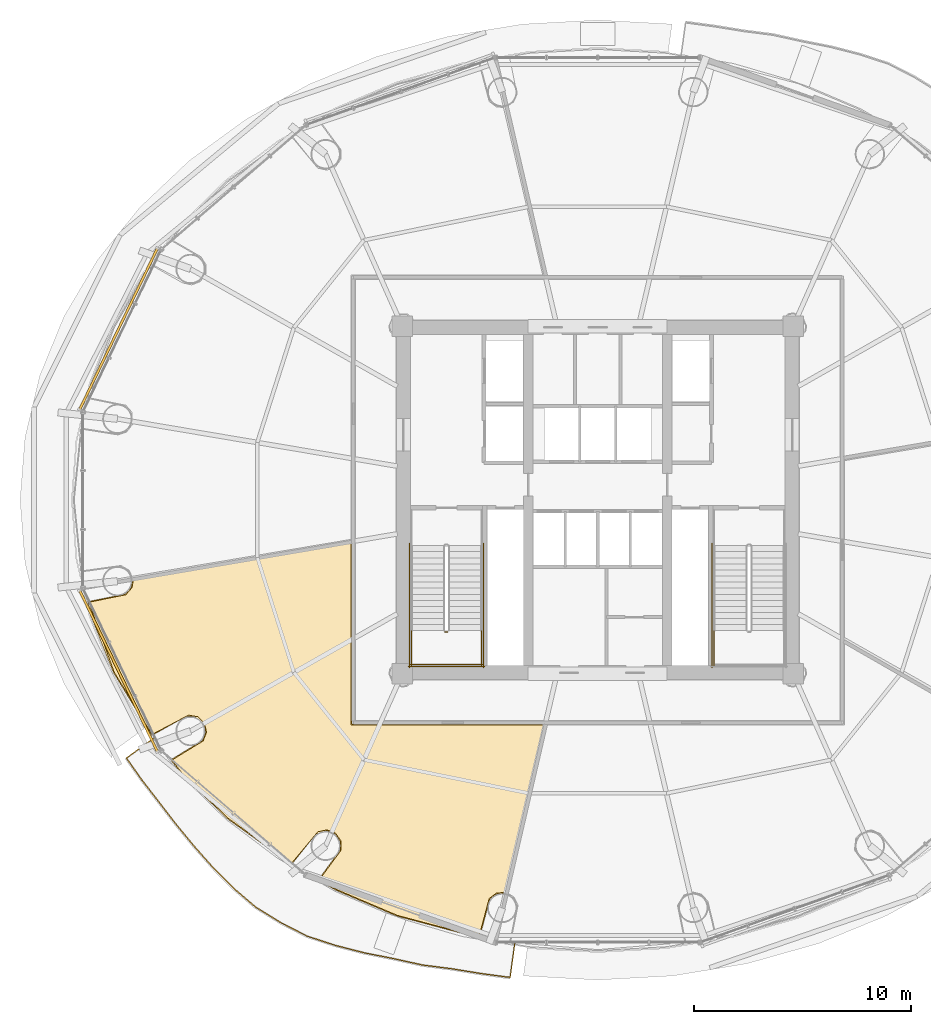
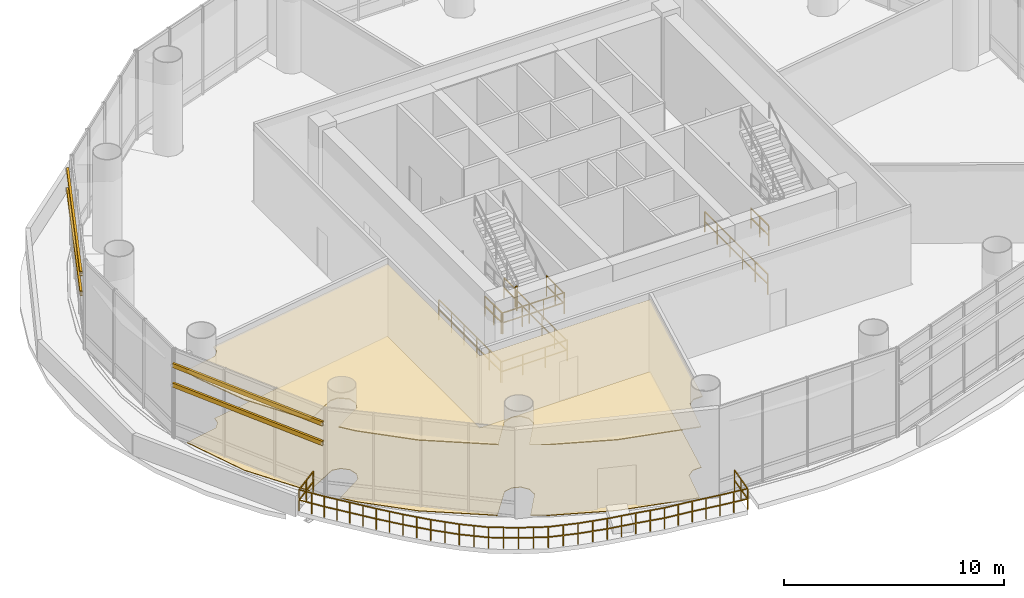
# One storey, part 25 of 29: 10 railings, 4 shading devices, 2 coverings.
"""IFC4 building model written with IfcOpenShell, lengths in metres."""

from ifc_helpers import new_model, si_unit, direction, frame, origin, origin_2d, place, context, subcontext, project, spatial, polyline, rectangle, hollow_rectangle, outline, extrude, source, transform, mapped, material, layer, layer_set, material_profile, profile_set, type_object, element, save


model = new_model("IFC4")

# Units and contexts
model_context = context("Model", 3, precision=1e-05, world=origin(), true_north=direction((-0.2419218956, 0.970295726276)))
body_context = subcontext(model_context, "Body", "Model", "MODEL_VIEW")
ifc_project = project(units=[si_unit("LENGTHUNIT", "METRE"), si_unit("AREAUNIT", "SQUARE_METRE"), si_unit("VOLUMEUNIT", "CUBIC_METRE"), si_unit("PLANEANGLEUNIT", "RADIAN"), si_unit("MASSUNIT", "GRAM", prefix="KILO")], contexts=[model_context])

# Site, building, storey
site_placement = place(None, origin())
site = spatial("IfcSite", under=ifc_project, at=site_placement, CompositionType="ELEMENT")
building_placement = place(site_placement, origin())
building = spatial("IfcBuilding", under=site, at=building_placement, Name="Cobrevalo Terracotta Tower", CompositionType="ELEMENT")
storey_placement = place(building_placement, frame((0.0, 0.0, 130.199951171875)))
storey = spatial("IfcBuildingStorey", under=building, at=storey_placement, Name="L34", CompositionType="ELEMENT", Elevation=130.199951171875)

# Railing
ifc_material_1 = material(Name="Laminated structural glass and stainless steel", Category="steel")
railing_type_1 = type_object("IfcRailingType", Name="Balcony lobe structural glass & terracotta-cap balustrade 1180 mm", PredefinedType="BALUSTRADE", material=ifc_material_1)
railing_1_placement = place(storey_placement, frame((17.58349609375, 15.848388671875, 0.0)))
element("IfcRailing", 1, at=railing_1_placement, inside=storey, type_object=railing_type_1, Name="L34 spiralling balcony lobe balustrade 2", PredefinedType="BALUSTRADE", context=body_context, shape_type="SweptSolid", body=[
    extrude(rectangle(XDim=0.048095703125, YDim=0.048095703125, at=origin_2d()), frame((0.0, 0.0, 1.15576171875), z_axis=(-0.809367380782, -0.587302684249, 0.0), x_axis=(0.587302684249, -0.809367380782, 0.0)), (0.0, 0.0, 1.0), 1.587646484375),
    extrude(rectangle(XDim=0.048095703125, YDim=0.048095703125, at=origin_2d()), frame((0.0, 0.0, 0.58984375), z_axis=(-0.809367380782, -0.587302684249, 0.0), x_axis=(0.587302684249, -0.809367380782, 0.0)), (0.0, 0.0, 1.0), 1.587646484375),
    extrude(rectangle(XDim=0.048095703125, YDim=0.048095703125, at=origin_2d()), frame((-1.284912109375, -0.932373046875, 1.15576171875), z_axis=(0.578233321445, -0.815871451867, 0.0), x_axis=(0.815871451867, 0.578233321445, 0.0)), (0.0, 0.0, 1.0), 1.25439453125),
    extrude(rectangle(XDim=0.048095703125, YDim=0.048095703125, at=origin_2d()), frame((-1.284912109375, -0.932373046875, 0.58984375), z_axis=(0.578233321445, -0.815871451867, 0.0), x_axis=(0.815871451867, 0.578233321445, 0.0)), (0.0, 0.0, 1.0), 1.25439453125),
    extrude(rectangle(XDim=0.048095703125, YDim=0.048095703125, at=origin_2d()), frame((-0.5595703125, -1.955810546875, 1.15576171875), z_axis=(0.611265346823, -0.791425723472, 0.0), x_axis=(0.791425723472, 0.611265346823, 0.0)), (0.0, 0.0, 1.0), 1.259033203125),
    extrude(rectangle(XDim=0.048095703125, YDim=0.048095703125, at=origin_2d()), frame((-0.5595703125, -1.955810546875, 0.58984375), z_axis=(0.611265346823, -0.791425723472, 0.0), x_axis=(0.791425723472, 0.611265346823, 0.0)), (0.0, 0.0, 1.0), 1.259033203125),
    extrude(rectangle(XDim=0.048095703125, YDim=0.048095703125, at=origin_2d()), frame((0.2099609375, -2.9521484375, 1.15576171875), z_axis=(0.610131640757, -0.792300057395, 0.0), x_axis=(0.792300057395, 0.610131640757, 0.0)), (0.0, 0.0, 1.0), 1.289306640625),
    extrude(rectangle(XDim=0.048095703125, YDim=0.048095703125, at=origin_2d()), frame((0.2099609375, -2.9521484375, 0.58984375), z_axis=(0.610131640757, -0.792300057395, 0.0), x_axis=(0.792300057395, 0.610131640757, 0.0)), (0.0, 0.0, 1.0), 1.289306640625),
    extrude(rectangle(XDim=0.048095703125, YDim=0.048095703125, at=origin_2d()), frame((0.99658203125, -3.9736328125, 1.15576171875), z_axis=(0.634923621366, -0.772574912245, 0.0), x_axis=(0.772574912245, 0.634923621366, 0.0)), (0.0, 0.0, 1.0), 1.300048828125),
    extrude(rectangle(XDim=0.048095703125, YDim=0.048095703125, at=origin_2d()), frame((0.99658203125, -3.9736328125, 0.58984375), z_axis=(0.634923621366, -0.772574912245, 0.0), x_axis=(0.772574912245, 0.634923621366, 0.0)), (0.0, 0.0, 1.0), 1.300048828125),
    extrude(rectangle(XDim=0.048095703125, YDim=0.048095703125, at=origin_2d()), frame((1.822021484375, -4.97802734375, 1.15576171875), z_axis=(0.663895313827, -0.747825522617, 0.0), x_axis=(0.747825522617, 0.663895313827, 0.0)), (0.0, 0.0, 1.0), 1.326416015625),
    extrude(rectangle(XDim=0.048095703125, YDim=0.048095703125, at=origin_2d()), frame((1.822021484375, -4.97802734375, 0.58984375), z_axis=(0.663895313827, -0.747825522617, 0.0), x_axis=(0.747825522617, 0.663895313827, 0.0)), (0.0, 0.0, 1.0), 1.326416015625),
    extrude(rectangle(XDim=0.048095703125, YDim=0.048095703125, at=origin_2d()), frame((2.70263671875, -5.969970703125, 1.15576171875), z_axis=(0.703553776685, -0.710642021916, 0.0), x_axis=(0.710642021916, 0.703553776685, 0.0)), (0.0, 0.0, 1.0), 1.34326171875),
    extrude(rectangle(XDim=0.048095703125, YDim=0.048095703125, at=origin_2d()), frame((2.70263671875, -5.969970703125, 0.58984375), z_axis=(0.703553776685, -0.710642021916, 0.0), x_axis=(0.710642021916, 0.703553776685, 0.0)), (0.0, 0.0, 1.0), 1.34326171875),
    extrude(rectangle(XDim=0.048095703125, YDim=0.048095703125, at=origin_2d()), frame((3.647705078125, -6.924560546875, 1.15576171875), z_axis=(0.761514665944, -0.648147678814, 0.0), x_axis=(0.648147678814, 0.761514665944, 0.0)), (0.0, 0.0, 1.0), 1.34814453125),
    extrude(rectangle(XDim=0.048095703125, YDim=0.048095703125, at=origin_2d()), frame((3.647705078125, -6.924560546875, 0.58984375), z_axis=(0.761514665944, -0.648147678814, 0.0), x_axis=(0.648147678814, 0.761514665944, 0.0)), (0.0, 0.0, 1.0), 1.34814453125),
    extrude(rectangle(XDim=0.048095703125, YDim=0.048095703125, at=origin_2d()), frame((4.67431640625, -7.79833984375, 1.15576171875), z_axis=(0.851658316705, -0.524097425664, 0.0), x_axis=(0.524097425664, 0.851658316705, 0.0)), (0.0, 0.0, 1.0), 1.360107421875),
    extrude(rectangle(XDim=0.048095703125, YDim=0.048095703125, at=origin_2d()), frame((4.67431640625, -7.79833984375, 0.58984375), z_axis=(0.851658316705, -0.524097425664, 0.0), x_axis=(0.524097425664, 0.851658316705, 0.0)), (0.0, 0.0, 1.0), 1.360107421875),
    extrude(rectangle(XDim=0.048095703125, YDim=0.048095703125, at=origin_2d()), frame((5.832763671875, -8.51123046875, 1.15576171875), z_axis=(0.889813718969, -0.456323948018, 0.0), x_axis=(0.456323948018, 0.889813718969, 0.0)), (0.0, 0.0, 1.0), 1.35791015625),
    extrude(rectangle(XDim=0.048095703125, YDim=0.048095703125, at=origin_2d()), frame((5.832763671875, -8.51123046875, 0.58984375), z_axis=(0.889813718969, -0.456323948018, 0.0), x_axis=(0.456323948018, 0.889813718969, 0.0)), (0.0, 0.0, 1.0), 1.35791015625),
    extrude(rectangle(XDim=0.048095703125, YDim=0.048095703125, at=origin_2d()), frame((7.041015625, -9.130859375, 1.15576171875), z_axis=(0.950632133368, -0.310320071873, 0.0), x_axis=(0.310320071873, 0.950632133368, 0.0)), (0.0, 0.0, 1.0), 1.377685546875),
    extrude(rectangle(XDim=0.048095703125, YDim=0.048095703125, at=origin_2d()), frame((7.041015625, -9.130859375, 0.58984375), z_axis=(0.950632133368, -0.310320071873, 0.0), x_axis=(0.310320071873, 0.950632133368, 0.0)), (0.0, 0.0, 1.0), 1.377685546875),
    extrude(rectangle(XDim=0.048095703125, YDim=0.048095703125, at=origin_2d()), frame((8.3505859375, -9.558349609375, 1.15576171875), z_axis=(0.968673720881, -0.248336913233, 0.0), x_axis=(0.248336913233, 0.968673720881, 0.0)), (0.0, 0.0, 1.0), 1.375244140625),
    extrude(rectangle(XDim=0.048095703125, YDim=0.048095703125, at=origin_2d()), frame((8.3505859375, -9.558349609375, 0.58984375), z_axis=(0.968673720881, -0.248336913233, 0.0), x_axis=(0.248336913233, 0.968673720881, 0.0)), (0.0, 0.0, 1.0), 1.375244140625),
    extrude(rectangle(XDim=0.048095703125, YDim=0.048095703125, at=origin_2d()), frame((9.682861328125, -9.89990234375, 1.15576171875), z_axis=(0.98097632146, -0.194127423963, 0.0), x_axis=(0.194127423963, 0.98097632146, 0.0)), (0.0, 0.0, 1.0), 1.36962890625),
    extrude(rectangle(XDim=0.048095703125, YDim=0.048095703125, at=origin_2d()), frame((9.682861328125, -9.89990234375, 0.58984375), z_axis=(0.98097632146, -0.194127423963, 0.0), x_axis=(0.194127423963, 0.98097632146, 0.0)), (0.0, 0.0, 1.0), 1.36962890625),
    extrude(rectangle(XDim=0.048095703125, YDim=0.048095703125, at=origin_2d()), frame((11.0263671875, -10.165771484375, 1.15576171875), z_axis=(0.976498251898, -0.215525321113, 0.0), x_axis=(0.215525321113, 0.976498251898, 0.0)), (0.0, 0.0, 1.0), 1.361572265625),
    extrude(rectangle(XDim=0.048095703125, YDim=0.048095703125, at=origin_2d()), frame((11.0263671875, -10.165771484375, 0.58984375), z_axis=(0.976498251898, -0.215525321113, 0.0), x_axis=(0.215525321113, 0.976498251898, 0.0)), (0.0, 0.0, 1.0), 1.361572265625),
    extrude(rectangle(XDim=0.048095703125, YDim=0.048095703125, at=origin_2d()), frame((12.35595703125, -10.459228515625, 1.15576171875), z_axis=(0.99183804653, -0.127504076233, 0.0), x_axis=(0.127504076233, 0.99183804653, 0.0)), (0.0, 0.0, 1.0), 1.359375),
    extrude(rectangle(XDim=0.048095703125, YDim=0.048095703125, at=origin_2d()), frame((12.35595703125, -10.459228515625, 0.58984375), z_axis=(0.99183804653, -0.127504076233, 0.0), x_axis=(0.127504076233, 0.99183804653, 0.0)), (0.0, 0.0, 1.0), 1.359375),
    extrude(rectangle(XDim=0.048095703125, YDim=0.048095703125, at=origin_2d()), frame((13.704345703125, -10.632568359375, 1.15576171875), z_axis=(0.987063083074, -0.160332373626, 0.0), x_axis=(0.160332373626, 0.987063083074, 0.0)), (0.0, 0.0, 1.0), 1.353759765625),
    extrude(rectangle(XDim=0.048095703125, YDim=0.048095703125, at=origin_2d()), frame((13.704345703125, -10.632568359375, 0.58984375), z_axis=(0.987063083074, -0.160332373626, 0.0), x_axis=(0.160332373626, 0.987063083074, 0.0)), (0.0, 0.0, 1.0), 1.353759765625),
    extrude(rectangle(XDim=0.048095703125, YDim=0.048095703125, at=origin_2d()), frame((15.04052734375, -10.849609375, 1.15576171875), z_axis=(0.990945115843, -0.134267558949, 0.0), x_axis=(0.134267558949, 0.990945115843, 0.0)), (0.0, 0.0, 1.0), 1.352783203125),
    extrude(rectangle(XDim=0.048095703125, YDim=0.048095703125, at=origin_2d()), frame((15.04052734375, -10.849609375, 0.58984375), z_axis=(0.990945115843, -0.134267558949, 0.0), x_axis=(0.134267558949, 0.990945115843, 0.0)), (0.0, 0.0, 1.0), 1.352783203125),
    extrude(rectangle(XDim=0.048095703125, YDim=0.048095703125, at=origin_2d()), frame((16.381103515625, -11.03125, 1.15576171875), z_axis=(0.13691977774, 0.990582139181, 0.0), x_axis=(-0.990582139181, 0.13691977774, 0.0)), (0.0, 0.0, 1.0), 1.579833984375),
    extrude(rectangle(XDim=0.048095703125, YDim=0.048095703125, at=origin_2d()), frame((16.381103515625, -11.03125, 0.58984375), z_axis=(0.13691977774, 0.990582139181, 0.0), x_axis=(-0.990582139181, 0.13691977774, 0.0)), (0.0, 0.0, 1.0), 1.579833984375),
    extrude(rectangle(XDim=0.0419921875, YDim=0.0419921875, at=origin_2d()), origin(), (0.0, 0.0, 1.0), 1.1318359375),
    extrude(rectangle(XDim=0.0419921875, YDim=0.0419921875, at=origin_2d()), frame((-0.642578125, -0.46630859375, 0.0)), (0.0, 0.0, 1.0), 1.1318359375),
    extrude(rectangle(XDim=0.0419921875, YDim=0.0419921875, at=origin_2d()), frame((-1.284912109375, -0.932373046875, 0.0)), (0.0, 0.0, 1.0), 1.1318359375),
    extrude(rectangle(XDim=0.0419921875, YDim=0.0419921875, at=origin_2d()), frame((-0.92236328125, -1.444091796875, 0.0)), (0.0, 0.0, 1.0), 1.1318359375),
    extrude(rectangle(XDim=0.0419921875, YDim=0.0419921875, at=origin_2d()), frame((-0.5595703125, -1.955810546875, 0.0)), (0.0, 0.0, 1.0), 1.1318359375),
    extrude(rectangle(XDim=0.0419921875, YDim=0.0419921875, at=origin_2d()), frame((-0.1748046875, -2.4541015625, 0.0)), (0.0, 0.0, 1.0), 1.1318359375),
    extrude(rectangle(XDim=0.0419921875, YDim=0.0419921875, at=origin_2d()), frame((0.2099609375, -2.9521484375, 0.0)), (0.0, 0.0, 1.0), 1.1318359375),
    extrude(rectangle(XDim=0.0419921875, YDim=0.0419921875, at=origin_2d()), frame((0.603271484375, -3.462890625, 0.0)), (0.0, 0.0, 1.0), 1.1318359375),
    extrude(rectangle(XDim=0.0419921875, YDim=0.0419921875, at=origin_2d()), frame((0.99658203125, -3.9736328125, 0.0)), (0.0, 0.0, 1.0), 1.1318359375),
    extrude(rectangle(XDim=0.0419921875, YDim=0.0419921875, at=origin_2d()), frame((1.4091796875, -4.475830078125, 0.0)), (0.0, 0.0, 1.0), 1.1318359375),
    extrude(rectangle(XDim=0.0419921875, YDim=0.0419921875, at=origin_2d()), frame((1.822021484375, -4.97802734375, 0.0)), (0.0, 0.0, 1.0), 1.1318359375),
    extrude(rectangle(XDim=0.0419921875, YDim=0.0419921875, at=origin_2d()), frame((2.26220703125, -5.47412109375, 0.0)), (0.0, 0.0, 1.0), 1.1318359375),
    extrude(rectangle(XDim=0.0419921875, YDim=0.0419921875, at=origin_2d()), frame((2.70263671875, -5.969970703125, 0.0)), (0.0, 0.0, 1.0), 1.1318359375),
    extrude(rectangle(XDim=0.0419921875, YDim=0.0419921875, at=origin_2d()), frame((3.17529296875, -6.447265625, 0.0)), (0.0, 0.0, 1.0), 1.1318359375),
    extrude(rectangle(XDim=0.0419921875, YDim=0.0419921875, at=origin_2d()), frame((3.647705078125, -6.924560546875, 0.0)), (0.0, 0.0, 1.0), 1.1318359375),
    extrude(rectangle(XDim=0.0419921875, YDim=0.0419921875, at=origin_2d()), frame((4.1611328125, -7.361328125, 0.0)), (0.0, 0.0, 1.0), 1.1318359375),
    extrude(rectangle(XDim=0.0419921875, YDim=0.0419921875, at=origin_2d()), frame((4.67431640625, -7.79833984375, 0.0)), (0.0, 0.0, 1.0), 1.1318359375),
    extrude(rectangle(XDim=0.0419921875, YDim=0.0419921875, at=origin_2d()), frame((5.25341796875, -8.15478515625, 0.0)), (0.0, 0.0, 1.0), 1.1318359375),
    extrude(rectangle(XDim=0.0419921875, YDim=0.0419921875, at=origin_2d()), frame((5.832763671875, -8.51123046875, 0.0)), (0.0, 0.0, 1.0), 1.1318359375),
    extrude(rectangle(XDim=0.0419921875, YDim=0.0419921875, at=origin_2d()), frame((6.43701171875, -8.821044921875, 0.0)), (0.0, 0.0, 1.0), 1.1318359375),
    extrude(rectangle(XDim=0.0419921875, YDim=0.0419921875, at=origin_2d()), frame((7.041015625, -9.130859375, 0.0)), (0.0, 0.0, 1.0), 1.1318359375),
    extrude(rectangle(XDim=0.0419921875, YDim=0.0419921875, at=origin_2d()), frame((7.69580078125, -9.3447265625, 0.0)), (0.0, 0.0, 1.0), 1.1318359375),
    extrude(rectangle(XDim=0.0419921875, YDim=0.0419921875, at=origin_2d()), frame((8.3505859375, -9.558349609375, 0.0)), (0.0, 0.0, 1.0), 1.1318359375),
    extrude(rectangle(XDim=0.0419921875, YDim=0.0419921875, at=origin_2d()), frame((9.0166015625, -9.72900390625, 0.0)), (0.0, 0.0, 1.0), 1.1318359375),
    extrude(rectangle(XDim=0.0419921875, YDim=0.0419921875, at=origin_2d()), frame((9.682861328125, -9.89990234375, 0.0)), (0.0, 0.0, 1.0), 1.1318359375),
    extrude(rectangle(XDim=0.0419921875, YDim=0.0419921875, at=origin_2d()), frame((10.3544921875, -10.03271484375, 0.0)), (0.0, 0.0, 1.0), 1.1318359375),
    extrude(rectangle(XDim=0.0419921875, YDim=0.0419921875, at=origin_2d()), frame((11.0263671875, -10.165771484375, 0.0)), (0.0, 0.0, 1.0), 1.1318359375),
    extrude(rectangle(XDim=0.0419921875, YDim=0.0419921875, at=origin_2d()), frame((11.691162109375, -10.3125, 0.0)), (0.0, 0.0, 1.0), 1.1318359375),
    extrude(rectangle(XDim=0.0419921875, YDim=0.0419921875, at=origin_2d()), frame((12.35595703125, -10.459228515625, 0.0)), (0.0, 0.0, 1.0), 1.1318359375),
    extrude(rectangle(XDim=0.0419921875, YDim=0.0419921875, at=origin_2d()), frame((13.0302734375, -10.5458984375, 0.0)), (0.0, 0.0, 1.0), 1.1318359375),
    extrude(rectangle(XDim=0.0419921875, YDim=0.0419921875, at=origin_2d()), frame((13.704345703125, -10.632568359375, 0.0)), (0.0, 0.0, 1.0), 1.1318359375),
    extrude(rectangle(XDim=0.0419921875, YDim=0.0419921875, at=origin_2d()), frame((14.37255859375, -10.7412109375, 0.0)), (0.0, 0.0, 1.0), 1.1318359375),
    extrude(rectangle(XDim=0.0419921875, YDim=0.0419921875, at=origin_2d()), frame((15.04052734375, -10.849609375, 0.0)), (0.0, 0.0, 1.0), 1.1318359375),
    extrude(rectangle(XDim=0.0419921875, YDim=0.0419921875, at=origin_2d()), frame((15.7109375, -10.9404296875, 0.0)), (0.0, 0.0, 1.0), 1.1318359375),
    extrude(rectangle(XDim=0.0419921875, YDim=0.0419921875, at=origin_2d()), frame((16.381103515625, -11.03125, 0.0)), (0.0, 0.0, 1.0), 1.1318359375),
    extrude(rectangle(XDim=0.0419921875, YDim=0.0419921875, at=origin_2d()), frame((16.4892578125, -10.248779296875, 0.0)), (0.0, 0.0, 1.0), 1.1318359375),
    extrude(rectangle(XDim=0.0419921875, YDim=0.0419921875, at=origin_2d()), frame((16.597412109375, -9.46630859375, 0.0)), (0.0, 0.0, 1.0), 1.1318359375),
])

# Coverings
ifc_material_2 = material(Name="Honed terracotta and granite tile", Category="masonry")
ifc_layer_1 = layer(ifc_material_2, 0.034912109375)
ifc_layer_set_1 = layer_set([ifc_layer_1], Name="Honed terracotta and granite tile")
covering_type_1 = type_object("IfcCoveringType", Name="Honed Terracotta & Granite Interior Flooring 35", PredefinedType="FLOORING", material=ifc_layer_set_1)
covering_1_placement = place(storey_placement, origin())
element("IfcCovering", 2, at=covering_1_placement, inside=storey, type_object=covering_type_1, Name="L34 Private Dining Room floor finish", PredefinedType="FLOORING", context=body_context, shape_type="SweptSolid", body=[
    extrude(outline(polyline([(28.7763671875, 7.676025390625), (25.948974609375, 8.873779296875), (25.18310546875, 9.3134765625), (26.184326171875, 10.67724609375), (26.175537109375, 11.106689453125), (25.929443359375, 11.458984375), (25.529296875, 11.615234375), (25.109619140625, 11.522705078125), (23.8857421875, 10.05810546875), (20.957763671875, 12.163818359375), (18.87939453125, 14.19970703125), (18.393798828125, 14.823974609375), (19.834228515625, 15.705810546875), (19.988525390625, 16.10693359375), (19.89404296875, 16.526123046875), (19.582763671875, 16.822021484375), (19.1591796875, 16.895263671875), (17.4755859375, 16.004638671875), (15.734130859375, 18.87939453125), (14.57080078125, 22.091796875), (16.2763671875, 22.43701171875), (16.55859375, 22.760986328125), (16.617431640625, 23.1240234375), (26.64501953125, 24.83837890625), (26.64501953125, 16.445068359375), (35.5830078125, 16.445068359375), (33.796630859375, 8.72607421875), (33.3408203125, 8.7109375), (32.99951171875, 8.44970703125), (32.526123046875, 6.675048828125), (28.7763671875, 7.676025390625)])), origin(), (0.0, 0.0, 1.0), 0.030029296875),
])
ifc_material_3 = material(Name="Acoustic perforated gypsum ceiling", Category="gypsum")
ifc_layer_2 = layer(ifc_material_3, 0.050048828125)
ifc_layer_set_2 = layer_set([ifc_layer_2], Name="Acoustic perforated gypsum ceiling")
covering_type_2 = type_object("IfcCoveringType", Name="Perforated Acoustic Gypsum Ceiling 50", PredefinedType="CEILING", material=ifc_layer_set_2)
covering_2_placement = place(storey_placement, frame((0.0, 0.0, 3.93994140625)))
element("IfcCovering", 3, at=covering_2_placement, inside=storey, type_object=covering_type_2, Name="L34 Private Dining Room acoustic ceiling", PredefinedType="CEILING", context=body_context, shape_type="SweptSolid", body=[
    extrude(outline(polyline([(28.76123046875, 7.633544921875), (25.928955078125, 8.83349609375), (25.115478515625, 9.30029296875), (26.140869140625, 10.689453125), (26.132568359375, 11.0927734375), (25.901611328125, 11.42333984375), (25.52587890625, 11.570068359375), (25.02001953125, 11.4052734375), (23.89697265625, 9.999755859375), (20.92822265625, 12.129638671875), (18.845703125, 14.169677734375), (18.326416015625, 14.83740234375), (19.798583984375, 15.733642578125), (19.943359375, 16.110107421875), (19.854736328125, 16.503662109375), (19.435302734375, 16.83056640625), (19.031982421875, 16.820556640625), (17.4638671875, 15.9462890625), (15.693359375, 18.85986328125), (14.677978515625, 21.429931640625), (14.51611328125, 22.128173828125), (16.25244140625, 22.475341796875), (16.517333984375, 22.779541015625), (16.56982421875, 23.16162109375), (26.68994140625, 24.891845703125), (26.68994140625, 16.489990234375), (35.6396484375, 16.489990234375), (33.830810546875, 8.674072265625), (33.356689453125, 8.66845703125), (33.036376953125, 8.42333984375), (32.560302734375, 6.62353515625), (28.76123046875, 7.633544921875)])), origin(), (0.0, 0.0, 1.0), 0.050048828125),
])

# Railings
ifc_material_4 = material(Name="Painted galvanized steel", Category="steel")
railing_type_2 = type_object("IfcRailingType", Name="Stair Well Guard Balustrade 1150", PredefinedType="GUARDRAIL", material=ifc_material_4)
railing_2_placement = place(storey_placement, frame((30.97509765625, 20.72998046875, 2.60009765625)))
element("IfcRailing", 4, at=railing_2_placement, inside=storey, type_object=railing_type_2, Name="L34 ST-1 stair guard 2", PredefinedType="GUARDRAIL", context=body_context, shape_type="SweptSolid", body=[
    extrude(rectangle(XDim=0.048095703125, YDim=0.048095703125, at=origin_2d()), frame((0.0, 0.0, 1.1259765625), z_axis=(1.0, 0.0, 0.0), x_axis=(0.0, 1.0, 0.0)), (0.0, 0.0, 1.0), 0.119873046875),
    extrude(rectangle(XDim=0.048095703125, YDim=0.048095703125, at=origin_2d()), frame((0.0, 0.0, 0.574951171875), z_axis=(1.0, 0.0, 0.0), x_axis=(0.0, 1.0, 0.0)), (0.0, 0.0, 1.0), 0.119873046875),
    extrude(rectangle(XDim=0.0419921875, YDim=0.0419921875, at=origin_2d()), origin(), (0.0, 0.0, 1.0), 1.101806640625),
    extrude(rectangle(XDim=0.0419921875, YDim=0.0419921875, at=origin_2d()), frame((0.119873046875, 0.0, 0.0)), (0.0, 0.0, 1.0), 1.101806640625),
])
for number, where, name in (
    (5, (29.425048828125, 20.780029296875, 2.60009765625), "L34 ST-1 stair guard 3"),
    (6, (32.64501953125, 20.780029296875, 2.60009765625), "L34 ST-1 stair guard 4"),
):
    element("IfcRailing", number, at=place(storey_placement, frame(where)), inside=storey, type_object=railing_type_2, Name=name, PredefinedType="GUARDRAIL", context=body_context, shape_type="SweptSolid", body=[
        extrude(rectangle(XDim=0.048095703125, YDim=0.048095703125, at=origin_2d()), frame((0.0, 0.0, 1.1259765625), z_axis=(0.0, -1.0, 0.0), x_axis=(1.0, 0.0, 0.0)), (0.0, 0.0, 1.0), 1.60498046875),
        extrude(rectangle(XDim=0.048095703125, YDim=0.048095703125, at=origin_2d()), frame((0.0, 0.0, 0.574951171875), z_axis=(0.0, -1.0, 0.0), x_axis=(1.0, 0.0, 0.0)), (0.0, 0.0, 1.0), 1.60498046875),
        extrude(rectangle(XDim=0.0419921875, YDim=0.0419921875, at=origin_2d()), origin(), (0.0, 0.0, 1.0), 1.101806640625),
        extrude(rectangle(XDim=0.0419921875, YDim=0.0419921875, at=origin_2d()), frame((0.0, -0.802490234375, 0.0)), (0.0, 0.0, 1.0), 1.101806640625),
        extrude(rectangle(XDim=0.0419921875, YDim=0.0419921875, at=origin_2d()), frame((0.0, -1.60498046875, 0.0)), (0.0, 0.0, 1.0), 1.101806640625),
    ])
railing_3_placement = place(storey_placement, frame((29.375, 19.22509765625, 2.60009765625)))
element("IfcRailing", 7, at=railing_3_placement, inside=storey, type_object=railing_type_2, Name="L34 ST-1 stair guard 5", PredefinedType="GUARDRAIL", context=body_context, shape_type="SweptSolid", body=[
    extrude(rectangle(XDim=0.048095703125, YDim=0.048095703125, at=origin_2d()), frame((0.0, 0.0, 1.1259765625), z_axis=(1.0, 0.0, 0.0), x_axis=(0.0, 1.0, 0.0)), (0.0, 0.0, 1.0), 3.320068359375),
    extrude(rectangle(XDim=0.048095703125, YDim=0.048095703125, at=origin_2d()), frame((0.0, 0.0, 0.574951171875), z_axis=(1.0, 0.0, 0.0), x_axis=(0.0, 1.0, 0.0)), (0.0, 0.0, 1.0), 3.320068359375),
    extrude(rectangle(XDim=0.0419921875, YDim=0.0419921875, at=origin_2d()), origin(), (0.0, 0.0, 1.0), 1.101806640625),
    extrude(rectangle(XDim=0.0419921875, YDim=0.0419921875, at=origin_2d()), frame((1.106689453125, 0.0, 0.0)), (0.0, 0.0, 1.0), 1.101806640625),
    extrude(rectangle(XDim=0.0419921875, YDim=0.0419921875, at=origin_2d()), frame((2.21337890625, 0.0, 0.0)), (0.0, 0.0, 1.0), 1.101806640625),
    extrude(rectangle(XDim=0.0419921875, YDim=0.0419921875, at=origin_2d()), frame((3.320068359375, 0.0, 0.0)), (0.0, 0.0, 1.0), 1.101806640625),
])
for number, where, name in (
    (8, (29.324951171875, 24.800048828125, 0.0), "L34 ST-1 stair guard 10"),
    (9, (32.7451171875, 24.800048828125, 0.0), "L34 ST-1 stair guard 11"),
):
    element("IfcRailing", number, at=place(storey_placement, frame(where)), inside=storey, type_object=railing_type_2, Name=name, PredefinedType="GUARDRAIL", context=body_context, shape_type="SweptSolid", body=[
        extrude(rectangle(XDim=0.048095703125, YDim=0.048095703125, at=origin_2d()), frame((0.0, 0.0, 1.1259765625), z_axis=(0.0, -1.0, 0.0), x_axis=(1.0, 0.0, 0.0)), (0.0, 0.0, 1.0), 5.72509765625),
        extrude(rectangle(XDim=0.048095703125, YDim=0.048095703125, at=origin_2d()), frame((0.0, 0.0, 0.574951171875), z_axis=(0.0, -1.0, 0.0), x_axis=(1.0, 0.0, 0.0)), (0.0, 0.0, 1.0), 5.72509765625),
        extrude(rectangle(XDim=0.0419921875, YDim=0.0419921875, at=origin_2d()), origin(), (0.0, 0.0, 1.0), 1.101806640625),
        extrude(rectangle(XDim=0.0419921875, YDim=0.0419921875, at=origin_2d()), frame((0.0, -1.14501953125, 0.0)), (0.0, 0.0, 1.0), 1.101806640625),
        extrude(rectangle(XDim=0.0419921875, YDim=0.0419921875, at=origin_2d()), frame((0.0, -2.2900390625, 0.0)), (0.0, 0.0, 1.0), 1.101806640625),
        extrude(rectangle(XDim=0.0419921875, YDim=0.0419921875, at=origin_2d()), frame((0.0, -3.43505859375, 0.0)), (0.0, 0.0, 1.0), 1.101806640625),
        extrude(rectangle(XDim=0.0419921875, YDim=0.0419921875, at=origin_2d()), frame((0.0, -4.580078125, 0.0)), (0.0, 0.0, 1.0), 1.101806640625),
        extrude(rectangle(XDim=0.0419921875, YDim=0.0419921875, at=origin_2d()), frame((0.0, -5.72509765625, 0.0)), (0.0, 0.0, 1.0), 1.101806640625),
    ])
railing_4_placement = place(storey_placement, frame((29.27490234375, 19.125, 0.0)))
element("IfcRailing", 10, at=railing_4_placement, inside=storey, type_object=railing_type_2, Name="L34 ST-1 stair guard 12", PredefinedType="GUARDRAIL", context=body_context, shape_type="SweptSolid", body=[
    extrude(rectangle(XDim=0.048095703125, YDim=0.048095703125, at=origin_2d()), frame((0.0, 0.0, 1.1259765625), z_axis=(1.0, 0.0, 0.0), x_axis=(0.0, 1.0, 0.0)), (0.0, 0.0, 1.0), 3.52001953125),
    extrude(rectangle(XDim=0.048095703125, YDim=0.048095703125, at=origin_2d()), frame((0.0, 0.0, 0.574951171875), z_axis=(1.0, 0.0, 0.0), x_axis=(0.0, 1.0, 0.0)), (0.0, 0.0, 1.0), 3.52001953125),
    extrude(rectangle(XDim=0.0419921875, YDim=0.0419921875, at=origin_2d()), origin(), (0.0, 0.0, 1.0), 1.101806640625),
    extrude(rectangle(XDim=0.0419921875, YDim=0.0419921875, at=origin_2d()), frame((1.17333984375, 0.0, 0.0)), (0.0, 0.0, 1.0), 1.101806640625),
    extrude(rectangle(XDim=0.0419921875, YDim=0.0419921875, at=origin_2d()), frame((2.3466796875, 0.0, 0.0)), (0.0, 0.0, 1.0), 1.101806640625),
    extrude(rectangle(XDim=0.0419921875, YDim=0.0419921875, at=origin_2d()), frame((3.52001953125, 0.0, 0.0)), (0.0, 0.0, 1.0), 1.101806640625),
])
railing_5_placement = place(storey_placement, frame((43.35498046875, 20.780029296875, 2.60009765625)))
element("IfcRailing", 11, at=railing_5_placement, inside=storey, type_object=railing_type_2, Name="L34 ST-2 stair guard 3", PredefinedType="GUARDRAIL", context=body_context, shape_type="SweptSolid", body=[
    extrude(rectangle(XDim=0.048095703125, YDim=0.048095703125, at=origin_2d()), frame((0.0, 0.0, 1.1259765625), z_axis=(0.0, -1.0, 0.0), x_axis=(1.0, 0.0, 0.0)), (0.0, 0.0, 1.0), 1.60498046875),
    extrude(rectangle(XDim=0.048095703125, YDim=0.048095703125, at=origin_2d()), frame((0.0, 0.0, 0.574951171875), z_axis=(0.0, -1.0, 0.0), x_axis=(1.0, 0.0, 0.0)), (0.0, 0.0, 1.0), 1.60498046875),
    extrude(rectangle(XDim=0.0419921875, YDim=0.0419921875, at=origin_2d()), origin(), (0.0, 0.0, 1.0), 1.101806640625),
    extrude(rectangle(XDim=0.0419921875, YDim=0.0419921875, at=origin_2d()), frame((0.0, -0.802490234375, 0.0)), (0.0, 0.0, 1.0), 1.101806640625),
    extrude(rectangle(XDim=0.0419921875, YDim=0.0419921875, at=origin_2d()), frame((0.0, -1.60498046875, 0.0)), (0.0, 0.0, 1.0), 1.101806640625),
])
railing_6_placement = place(storey_placement, frame((43.2548828125, 24.800048828125, 0.0)))
element("IfcRailing", 12, at=railing_6_placement, inside=storey, type_object=railing_type_2, Name="L34 ST-2 stair guard 10", PredefinedType="GUARDRAIL", context=body_context, shape_type="SweptSolid", body=[
    extrude(rectangle(XDim=0.048095703125, YDim=0.048095703125, at=origin_2d()), frame((0.0, 0.0, 1.1259765625), z_axis=(0.0, -1.0, 0.0), x_axis=(1.0, 0.0, 0.0)), (0.0, 0.0, 1.0), 5.72509765625),
    extrude(rectangle(XDim=0.048095703125, YDim=0.048095703125, at=origin_2d()), frame((0.0, 0.0, 0.574951171875), z_axis=(0.0, -1.0, 0.0), x_axis=(1.0, 0.0, 0.0)), (0.0, 0.0, 1.0), 5.72509765625),
    extrude(rectangle(XDim=0.0419921875, YDim=0.0419921875, at=origin_2d()), origin(), (0.0, 0.0, 1.0), 1.101806640625),
    extrude(rectangle(XDim=0.0419921875, YDim=0.0419921875, at=origin_2d()), frame((0.0, -1.14501953125, 0.0)), (0.0, 0.0, 1.0), 1.101806640625),
    extrude(rectangle(XDim=0.0419921875, YDim=0.0419921875, at=origin_2d()), frame((0.0, -2.2900390625, 0.0)), (0.0, 0.0, 1.0), 1.101806640625),
    extrude(rectangle(XDim=0.0419921875, YDim=0.0419921875, at=origin_2d()), frame((0.0, -3.43505859375, 0.0)), (0.0, 0.0, 1.0), 1.101806640625),
    extrude(rectangle(XDim=0.0419921875, YDim=0.0419921875, at=origin_2d()), frame((0.0, -4.580078125, 0.0)), (0.0, 0.0, 1.0), 1.101806640625),
    extrude(rectangle(XDim=0.0419921875, YDim=0.0419921875, at=origin_2d()), frame((0.0, -5.72509765625, 0.0)), (0.0, 0.0, 1.0), 1.101806640625),
])

# Shading devices
ifc_material_5 = material(Name="Extruded fired architectural terracotta", Category="masonry")
ifc_material_profile = material_profile(ifc_material_5, hollow_rectangle(XDim=0.110107421875, YDim=0.239990234375, WallThickness=0.01806640625, at=origin_2d()), Name="BAGUETTE 110x240")
ifc_profile_set = profile_set([ifc_material_profile], Name="Extruded fired architectural terracotta")
shading_device_type = type_object("IfcShadingDeviceType", Name="Horizontal Terracotta Baguette Screen 110x240", PredefinedType="USERDEFINED", material=ifc_profile_set)
shared_shape = source(origin(), body_context, "Body", "SweptSolid", [
    extrude(hollow_rectangle(XDim=0.110107421875, YDim=0.239990234375, WallThickness=0.01806640625, at=origin_2d()), origin(), (0.0, 0.0, 1.0), 8.2314453125),
])
for number, where, z_axis, x_axis, name in (
    (13, (17.723876953125, 38.38134765625, 3.056640625), (-0.434211518054, -0.900810944421, 0.0), (0.900810944421, -0.434211518054, 0.0), "CW-SK-L34-S07 horizontal terracotta baguette 1"),
    (14, (17.723876953125, 38.38134765625, 4.141357421875), (-0.434211518054, -0.900810944421, 0.0), (0.900810944421, -0.434211518054, 0.0), "CW-SK-L34-S07 horizontal terracotta baguette 2"),
    (15, (14.149658203125, 22.6337890625, 3.056640625), (0.434211518054, -0.900810944421, 0.0), (0.900810944421, 0.434211518054, 0.0), "CW-SK-L34-S09 horizontal terracotta baguette 1"),
    (16, (14.149658203125, 22.6337890625, 4.141357421875), (0.434211518054, -0.900810944421, 0.0), (0.900810944421, 0.434211518054, 0.0), "CW-SK-L34-S09 horizontal terracotta baguette 2"),
):
    element("IfcShadingDevice", number, at=place(storey_placement, frame(where, z_axis=z_axis, x_axis=x_axis)), inside=storey, type_object=shading_device_type, Name=name, ObjectType="BAGUETTE", PredefinedType="USERDEFINED", context=body_context, shape_type="MappedRepresentation", body=[
        mapped(shared_shape, transform((0.0, 0.0, 0.0), scale=1.0)),
    ])

save(model, "model.ifc")
